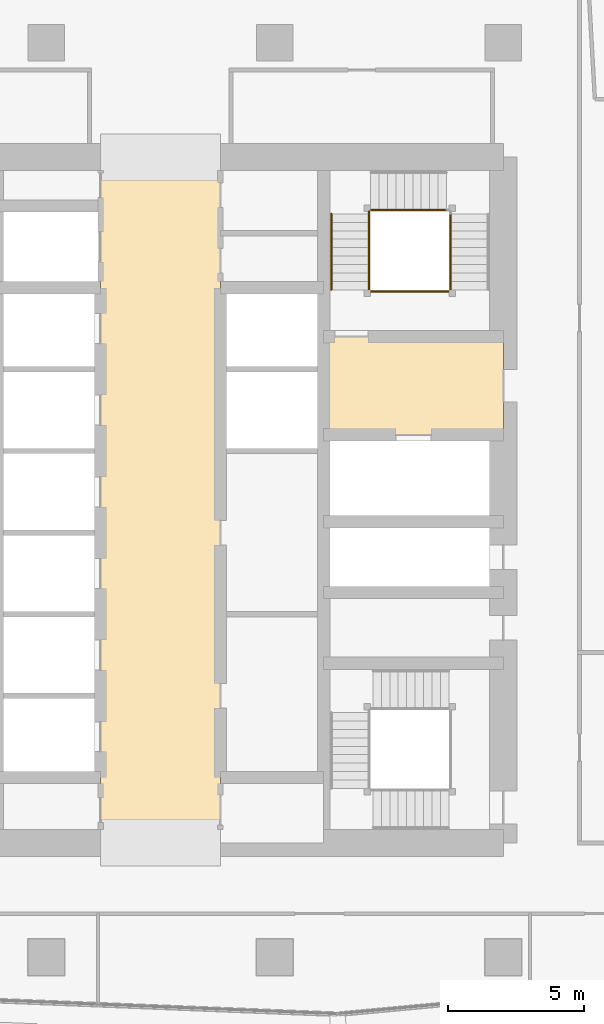
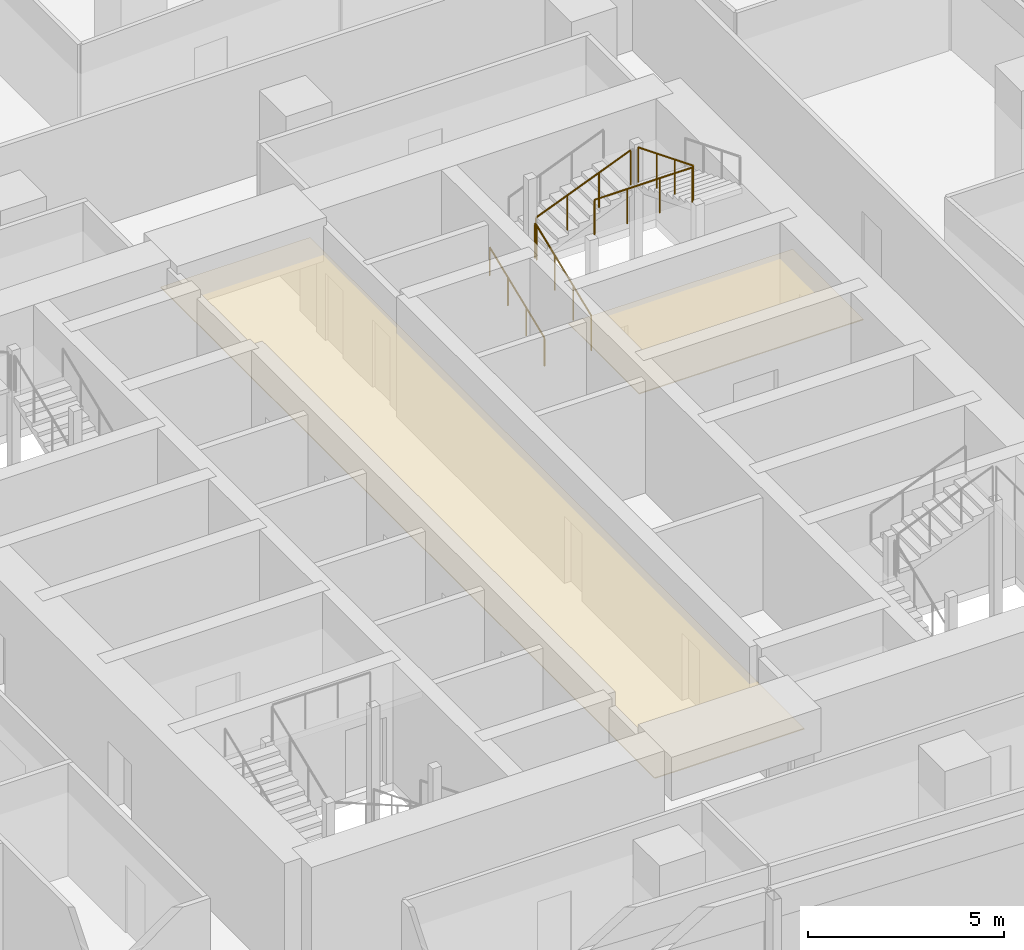
# One storey, part 36 of 39: 6 railings, 2 coverings.
"""IFC4 building model written with IfcOpenShell, lengths in metres."""

import ifcopenshell
import ifcopenshell.guid

model = None  # the IFC model being written
_history = None  # IfcOwnerHistory: only IFC2X3 demands one
_inside = {}  # id of a spatial element -> (the spatial element, [elements in it])
_under = {}  # id of a project, library or spatial element -> (it, [spatial elements below it])
_declared = {}  # id of a project -> (the project, [libraries it declares])
_typed = {}  # id of a type object -> (the type object, [elements of that type])
_made_of = {}  # id of a material, layer set ... -> (it, [elements and type objects made of it])


def new_model(schema):
    """Start an empty IFC model of exactly this schema.

    Asked for "IFC4X3", IfcOpenShell would pick the latest addendum, in which some entities
    have other attributes; the version numbers below select the first issue.
    IFC2X3 requires an IfcOwnerHistory on every rooted entity: one is made here for all.
    """
    global model, _history
    if schema == "IFC4X3":
        model = ifcopenshell.file(schema_version=(4, 3, 0, 0))
    else:
        model = ifcopenshell.file(schema=schema)
    _inside.clear()
    _under.clear()
    _declared.clear()
    _typed.clear()
    _made_of.clear()
    _history = None
    if model.schema == "IFC2X3":
        org = make("IfcOrganization", Name="unknown")
        user = make(
            "IfcPersonAndOrganization",
            ThePerson=make("IfcPerson", FamilyName="unknown"),
            TheOrganization=org,
        )
        app = make(
            "IfcApplication",
            ApplicationDeveloper=org,
            Version="unknown",
            ApplicationFullName="unknown",
            ApplicationIdentifier="unknown",
        )
        _history = make(
            "IfcOwnerHistory",
            OwningUser=user,
            OwningApplication=app,
            ChangeAction="ADDED",
            CreationDate=0,
        )
    return model


def make(cls, **values):
    """One entity of the class cls with the attributes given. An attribute that is None is left unset."""
    return model.create_entity(
        cls, **{name: value for name, value in values.items() if value is not None}
    )


def rooted(cls, **values):
    """An entity with a GlobalId (a new one), such as an element, a storey or a relation."""
    return make(cls, GlobalId=ifcopenshell.guid.new(), OwnerHistory=_history, **values)


def si_unit(unit_type, name, prefix=None):
    """IfcSIUnit, for example si_unit("LENGTHUNIT", "METRE", prefix="MILLI")."""
    return make("IfcSIUnit", UnitType=unit_type, Prefix=prefix, Name=name)


def assignment(units):
    """IfcUnitAssignment: the units of a project."""
    return None if units is None else make("IfcUnitAssignment", Units=units)


def point(xyz):
    """IfcCartesianPoint."""
    return None if xyz is None else make("IfcCartesianPoint", Coordinates=xyz)


def direction(xyz):
    """IfcDirection."""
    return None if xyz is None else make("IfcDirection", DirectionRatios=xyz)


def frame(location, z_axis=None, x_axis=None):
    """IfcAxis2Placement3D, a coordinate frame: its origin and axes. An axis left out is left unset."""
    return make(
        "IfcAxis2Placement3D",
        Location=point(location),
        Axis=direction(z_axis),
        RefDirection=direction(x_axis),
    )


def frame_2d(location, x_axis=None):
    """IfcAxis2Placement2D, a coordinate frame in the plane: its origin and x axis."""
    return make(
        "IfcAxis2Placement2D", Location=point(location), RefDirection=direction(x_axis)
    )


def origin():
    """The frame at (0, 0, 0) with its axes left unset."""
    return frame((0.0, 0.0, 0.0))


def origin_2d():
    """The frame at (0, 0) in the plane with its x axis left unset."""
    return frame_2d((0.0, 0.0))


def place(relative_to, where):
    """IfcLocalPlacement: puts the frame where relative to a parent placement (None: the world)."""
    return make(
        "IfcLocalPlacement", PlacementRelTo=relative_to, RelativePlacement=where
    )


def context(
    kind, dimensions, precision=None, world=None, true_north=None, identifier=None
):
    """IfcGeometricRepresentationContext, for example the 3D "Model" context."""
    return make(
        "IfcGeometricRepresentationContext",
        ContextIdentifier=identifier,
        ContextType=kind,
        CoordinateSpaceDimension=dimensions,
        Precision=precision,
        WorldCoordinateSystem=world,
        TrueNorth=true_north,
    )


def subcontext(parent, identifier, kind, view, scale=None):
    """IfcGeometricRepresentationSubContext, for example "Body" below "Model"."""
    return make(
        "IfcGeometricRepresentationSubContext",
        ContextIdentifier=identifier,
        ContextType=kind,
        ParentContext=parent,
        TargetScale=scale,
        TargetView=view,
    )


def project(units=None, contexts=None):
    """IfcProject with its units and contexts."""
    return rooted(
        "IfcProject",
        Name="project",
        RepresentationContexts=contexts,
        UnitsInContext=assignment(units),
    )


def spatial(cls, under=None, at=None, **own):
    """A site, building, storey or space (cls), placed at a placement, below another one or the project."""
    s = rooted(cls, ObjectPlacement=at, **own)
    if under is not None:
        _under.setdefault(under.id(), (under, []))[1].append(s)
    return s


def polyline(points):
    """IfcPolyline through the points."""
    return make("IfcPolyline", Points=[point(p) for p in points])


def profile(cls, at=None, kind="AREA", **sizes):
    """A parametric profile (cls). Its sizes go by their IFC names, for example OverallWidth=200.0."""
    return make(cls, ProfileType=kind, Position=at, **sizes)


def circle(**sizes):
    """IfcCircleProfileDef."""
    return profile("IfcCircleProfileDef", **sizes)


def outline(outer, holes=None, kind="AREA"):
    """IfcArbitraryClosedProfileDef: a profile drawn as a closed curve; with holes, ...WithVoids."""
    if holes is None:
        return make("IfcArbitraryClosedProfileDef", ProfileType=kind, OuterCurve=outer)
    return make(
        "IfcArbitraryProfileDefWithVoids",
        ProfileType=kind,
        OuterCurve=outer,
        InnerCurves=holes,
    )


def extrude(swept, where, along, depth):
    """IfcExtrudedAreaSolid: the profile swept, set in the frame where, extruded along a direction by depth."""
    return make(
        "IfcExtrudedAreaSolid",
        SweptArea=swept,
        Position=where,
        ExtrudedDirection=direction(along),
        Depth=depth,
    )


def shape(context_of_items, identifier, shape_type, items):
    """IfcShapeRepresentation: the items that make up one representation, for example the "Body"."""
    return make(
        "IfcShapeRepresentation",
        ContextOfItems=context_of_items,
        RepresentationIdentifier=identifier,
        RepresentationType=shape_type,
        Items=items,
    )


def material(Name=None, Category=None):
    """IfcMaterial."""
    return make("IfcMaterial", Name=Name, Category=Category)


def layer(
    of_material, thickness, ventilated=None, Name=None, Category=None, Priority=None
):
    """IfcMaterialLayer: one layer of a wall or slab, of a material (None: an air gap)."""
    return make(
        "IfcMaterialLayer",
        Material=of_material,
        LayerThickness=thickness,
        IsVentilated=ventilated,
        Name=Name,
        Category=Category,
        Priority=Priority,
    )


def layer_set(layers, Name=None):
    """IfcMaterialLayerSet."""
    return make("IfcMaterialLayerSet", MaterialLayers=layers, LayerSetName=Name)


def made_of(thing, what):
    """Note that an element or type object is made of a material, layer set ...; save() writes the relation."""
    if what is not None:
        _made_of.setdefault(what.id(), (what, []))[1].append(thing)
    return thing


def type_object(cls, material=None, **own):
    """A type object (cls), such as IfcWallType, which elements share."""
    return made_of(rooted(cls, **own), material)


def element(
    cls,
    number,
    at=None,
    inside=None,
    cuts=None,
    type_object=None,
    material=None,
    context=None,
    identifier="Body",
    shape_type=None,
    held_by="IfcProductDefinitionShape",
    body=None,
    shapes=None,
    **own,
):
    """One element of the class cls, such as IfcWall. Its Tag is "e" and its number.

    at: its placement. inside: the storey or other place that contains it. cuts: it is an
    opening in that element (IfcRelVoidsElement). A single representation is given by context,
    identifier, shape_type and body (its items); several are given by shapes. held_by: the class
    of the entity that holds the representations. save() writes the other relations.
    """
    e = rooted(cls, Tag="e%d" % number, ObjectPlacement=at, **own)
    if body is not None:
        shapes = [shape(context, identifier, shape_type, body)]
    if shapes is not None:
        e.Representation = make(held_by, Representations=shapes)
    if inside is not None:
        _inside.setdefault(inside.id(), (inside, []))[1].append(e)
    if cuts is not None:
        rooted(
            "IfcRelVoidsElement", RelatingBuildingElement=cuts, RelatedOpeningElement=e
        )
    if type_object is not None:
        _typed.setdefault(type_object.id(), (type_object, []))[1].append(e)
    return made_of(e, material)


def aggregate(whole, parts):
    """IfcRelAggregates: a whole, such as a stair, and the parts it consists of."""
    return rooted("IfcRelAggregates", RelatingObject=whole, RelatedObjects=parts)


def save(model, path):
    """Write the relations noted so far, then the file.

    IfcRelAggregates (storeys below a building ...), IfcRelContainedInSpatialStructure (elements
    in a storey), IfcRelDefinesByType, IfcRelAssociatesMaterial and IfcRelDeclares: one each for
    every whole, place, type object, material and project.
    """
    for whole, parts in _under.values():
        aggregate(whole, parts)
    for where, things in _inside.values():
        rooted(
            "IfcRelContainedInSpatialStructure",
            RelatedElements=things,
            RelatingStructure=where,
        )
    for kind, things in _typed.values():
        rooted("IfcRelDefinesByType", RelatedObjects=things, RelatingType=kind)
    for what, things in _made_of.values():
        rooted("IfcRelAssociatesMaterial", RelatedObjects=things, RelatingMaterial=what)
    for by, libraries in _declared.values():
        rooted("IfcRelDeclares", RelatingContext=by, RelatedDefinitions=libraries)
    model.write(path)


model = new_model("IFC4")

# Units and contexts
model_context = context("Model", 3, precision=1e-05, world=origin(), true_north=direction((0.0, 1.0)))
body_context = subcontext(model_context, "Body", "Model", "MODEL_VIEW")
ifc_project = project(units=[si_unit("LENGTHUNIT", "METRE"), si_unit("AREAUNIT", "SQUARE_METRE"), si_unit("VOLUMEUNIT", "CUBIC_METRE"), si_unit("PLANEANGLEUNIT", "RADIAN"), si_unit("MASSUNIT", "GRAM", prefix="KILO")], contexts=[model_context])

# Site, building, storey
site_placement = place(None, origin())
site = spatial("IfcSite", under=ifc_project, at=site_placement, CompositionType="ELEMENT")
building_placement = place(site_placement, origin())
building = spatial("IfcBuilding", under=site, at=building_placement, Name="Rekha Terrace Tower", CompositionType="ELEMENT")
storey_placement = place(building_placement, frame((0.0, 0.0, 225.199951171875)))
storey = spatial("IfcBuildingStorey", under=building, at=storey_placement, Name="L57", CompositionType="ELEMENT", Elevation=225.199951171875)

# Coverings
ifc_material_1 = material(Name="Powder-coated aluminium pan", Category="aluminium")
ifc_layer = layer(ifc_material_1, 0.030029296875)
ifc_layer_set = layer_set([ifc_layer], Name="Powder-coated aluminium pan")
covering_type = type_object("IfcCoveringType", Name="CL3 300x1200 metal pan ceiling", PredefinedType="CEILING", material=ifc_layer_set)
covering_1_placement = place(storey_placement, frame((0.0, 0.0, 2.570068359375)))
element("IfcCovering", 1, at=covering_1_placement, inside=storey, type_object=covering_type, Name="Ceiling L57-LOBBY", PredefinedType="CEILING", context=body_context, shape_type="SweptSolid", body=[
    extrude(outline(polyline([(40.0, 46.199951171875), (35.60009765625, 46.199951171875), (35.60009765625, 21.0), (40.0, 21.0), (40.0, 46.199951171875)])), origin(), (0.0, 0.0, 1.0), 0.030029296875),
])
covering_2_placement = place(storey_placement, frame((0.0, 0.0, 2.570068359375)))
element("IfcCovering", 2, at=covering_2_placement, inside=storey, type_object=covering_type, Name="Ceiling L57-FLB2", PredefinedType="CEILING", context=body_context, shape_type="SweptSolid", body=[
    extrude(outline(polyline([(50.39990234375, 39.60009765625), (43.800048828125, 39.60009765625), (43.800048828125, 36.0), (50.39990234375, 36.0), (50.39990234375, 39.60009765625)])), origin(), (0.0, 0.0, 1.0), 0.030029296875),
])

# Railings
ifc_material_2 = material(Name="Stainless steel balustrade", Category="steel")
railing_type_1 = type_object("IfcRailingType", Name="GR1 1100 stair guard", PredefinedType="GUARDRAIL", material=ifc_material_2)
railing_1_placement = place(storey_placement, frame((45.465087890625, 41.324951171875, 0.125)))
element("IfcRailing", 3, at=railing_1_placement, inside=storey, type_object=railing_type_1, Name="Guard ST2 L57 flight 1", PredefinedType="GUARDRAIL", context=body_context, shape_type="SweptSolid", body=[
    extrude(circle(Radius=0.02392578125, at=origin_2d()), frame((0.0, 0.0, 1.076171875), z_axis=(0.0, 0.927443287984, 0.373963831907), x_axis=(-1.0, 0.0, 0.0)), (0.0, 0.0, 1.0), 3.00830078125),
    extrude(circle(Radius=0.02099609375, at=origin_2d()), origin(), (0.0, 0.0, 1.0), 1.052001953125),
    extrude(circle(Radius=0.02099609375, at=origin_2d()), frame((0.0, 0.929931640625, 0.375)), (0.0, 0.0, 1.0), 1.052001953125),
    extrude(circle(Radius=0.02099609375, at=origin_2d()), frame((0.0, 1.860107421875, 0.75)), (0.0, 0.0, 1.0), 1.052001953125),
    extrude(circle(Radius=0.02099609375, at=origin_2d()), frame((0.0, 2.7900390625, 1.125)), (0.0, 0.0, 1.0), 1.052001953125),
])
railing_2_placement = place(storey_placement, frame((45.52490234375, 44.260009765625, 1.375)))
element("IfcRailing", 4, at=railing_2_placement, inside=storey, type_object=railing_type_1, Name="Guard ST2 L57 flight 2", PredefinedType="GUARDRAIL", context=body_context, shape_type="SweptSolid", body=[
    extrude(circle(Radius=0.02392578125, at=origin_2d()), frame((0.0, 0.0, 1.076171875), z_axis=(0.927443287984, 0.0, 0.373963831907), x_axis=(0.0, 1.0, 0.0)), (0.0, 0.0, 1.0), 3.00830078125),
    extrude(circle(Radius=0.02099609375, at=origin_2d()), origin(), (0.0, 0.0, 1.0), 1.052001953125),
    extrude(circle(Radius=0.02099609375, at=origin_2d()), frame((0.929931640625, 0.0, 0.375)), (0.0, 0.0, 1.0), 1.052001953125),
    extrude(circle(Radius=0.02099609375, at=origin_2d()), frame((1.860107421875, 0.0, 0.75)), (0.0, 0.0, 1.0), 1.052001953125),
    extrude(circle(Radius=0.02099609375, at=origin_2d()), frame((2.7900390625, 0.0, 1.125)), (0.0, 0.0, 1.0), 1.052001953125),
])
railing_3_placement = place(storey_placement, frame((48.4599609375, 44.114990234375, 2.625)))
element("IfcRailing", 5, at=railing_3_placement, inside=storey, type_object=railing_type_1, Name="Guard ST2 L57 flight 3", PredefinedType="GUARDRAIL", context=body_context, shape_type="SweptSolid", body=[
    extrude(circle(Radius=0.02392578125, at=origin_2d()), frame((0.0, 0.0, 1.076171875), z_axis=(0.0, -0.927443287984, 0.373963831907), x_axis=(1.0, 0.0, 0.0)), (0.0, 0.0, 1.0), 3.00830078125),
    extrude(circle(Radius=0.02099609375, at=origin_2d()), origin(), (0.0, 0.0, 1.0), 1.052001953125),
    extrude(circle(Radius=0.02099609375, at=origin_2d()), frame((0.0, -0.929931640625, 0.375)), (0.0, 0.0, 1.0), 1.052001953125),
    extrude(circle(Radius=0.02099609375, at=origin_2d()), frame((0.0, -1.860107421875, 0.75)), (0.0, 0.0, 1.0), 1.052001953125),
    extrude(circle(Radius=0.02099609375, at=origin_2d()), frame((0.0, -2.7900390625, 1.125)), (0.0, 0.0, 1.0), 1.052001953125),
])
railing_4_placement = place(storey_placement, frame((45.465087890625, 44.114990234375, 1.25)))
element("IfcRailing", 6, at=railing_4_placement, inside=storey, type_object=railing_type_1, Name="Guard ST2 L57 landing 1", PredefinedType="GUARDRAIL", context=body_context, shape_type="SweptSolid", body=[
    extrude(circle(Radius=0.02392578125, at=origin_2d()), frame((0.0, 0.0, 1.076171875), z_axis=(0.0, 1.0, 0.0), x_axis=(-1.0, 0.0, 0.0)), (0.0, 0.0, 1.0), 0.0849609375),
    extrude(circle(Radius=0.02099609375, at=origin_2d()), origin(), (0.0, 0.0, 1.0), 1.052001953125),
    extrude(circle(Radius=0.02099609375, at=origin_2d()), frame((0.0, 0.0849609375, 0.0)), (0.0, 0.0, 1.0), 1.052001953125),
])
railing_5_placement = place(storey_placement, frame((45.52490234375, 41.264892578125, 3.75)))
element("IfcRailing", 7, at=railing_5_placement, inside=storey, type_object=railing_type_1, Name="Guard ST2 L57 landing 4", PredefinedType="GUARDRAIL", context=body_context, shape_type="SweptSolid", body=[
    extrude(circle(Radius=0.02392578125, at=origin_2d()), frame((0.0, 0.0, 1.076171875), z_axis=(1.0, 0.0, 0.0), x_axis=(0.0, 1.0, 0.0)), (0.0, 0.0, 1.0), 2.875),
    extrude(circle(Radius=0.02099609375, at=origin_2d()), origin(), (0.0, 0.0, 1.0), 1.052001953125),
    extrude(circle(Radius=0.02099609375, at=origin_2d()), frame((0.958251953125, 0.0, 0.0)), (0.0, 0.0, 1.0), 1.052001953125),
    extrude(circle(Radius=0.02099609375, at=origin_2d()), frame((1.916748046875, 0.0, 0.0)), (0.0, 0.0, 1.0), 1.052001953125),
    extrude(circle(Radius=0.02099609375, at=origin_2d()), frame((2.875, 0.0, 0.0)), (0.0, 0.0, 1.0), 1.052001953125),
])
ifc_material_3 = material(Name="Stainless steel tube", Category="steel")
railing_type_2 = type_object("IfcRailingType", Name="HR1 900 stair handrail", PredefinedType="HANDRAIL", material=ifc_material_3)
railing_6_placement = place(storey_placement, frame((44.0849609375, 41.324951171875, 0.125)))
element("IfcRailing", 8, at=railing_6_placement, inside=storey, type_object=railing_type_2, Name="Handrail ST2 L57 flight 1", PredefinedType="HANDRAIL", context=body_context, shape_type="SweptSolid", body=[
    extrude(circle(Radius=0.02392578125, at=origin_2d()), frame((0.0, 0.0, 0.8759765625), z_axis=(0.0, 0.927443287984, 0.373963831907), x_axis=(-1.0, 0.0, 0.0)), (0.0, 0.0, 1.0), 3.00830078125),
    extrude(circle(Radius=0.02099609375, at=origin_2d()), origin(), (0.0, 0.0, 1.0), 0.851806640625),
    extrude(circle(Radius=0.02099609375, at=origin_2d()), frame((0.0, 0.929931640625, 0.375)), (0.0, 0.0, 1.0), 0.851806640625),
    extrude(circle(Radius=0.02099609375, at=origin_2d()), frame((0.0, 1.860107421875, 0.75)), (0.0, 0.0, 1.0), 0.851806640625),
    extrude(circle(Radius=0.02099609375, at=origin_2d()), frame((0.0, 2.7900390625, 1.125)), (0.0, 0.0, 1.0), 0.851806640625),
])

save(model, "model.ifc")
